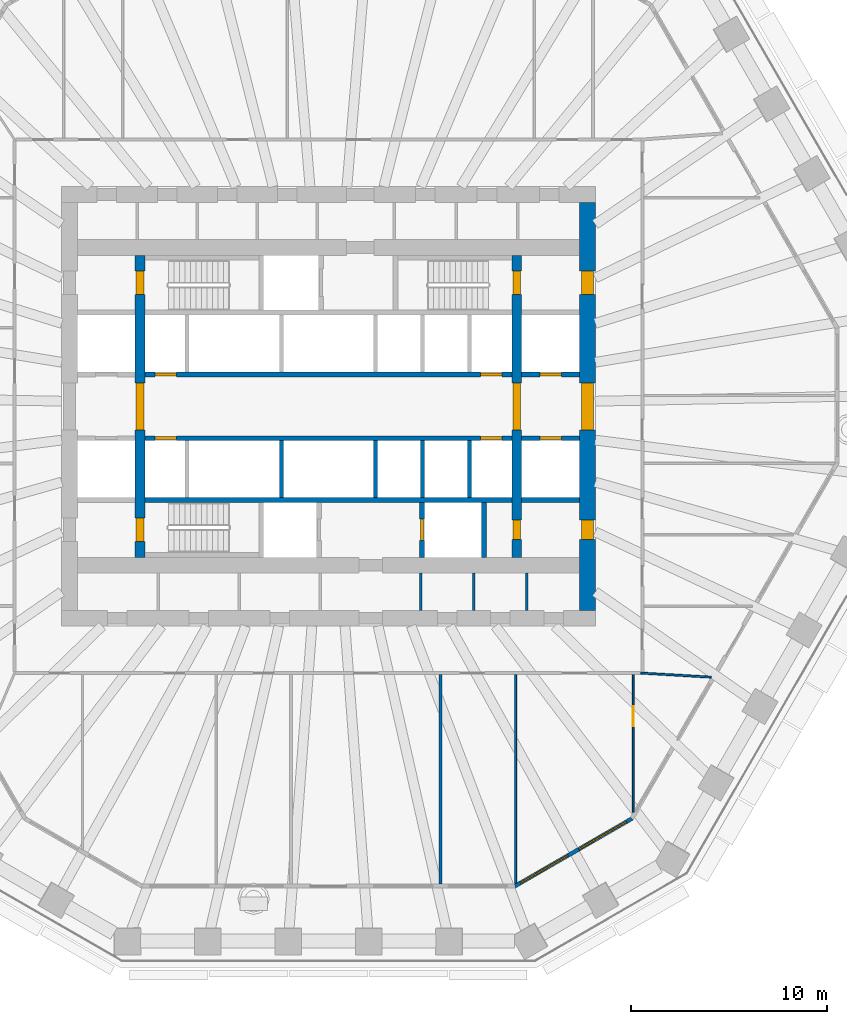
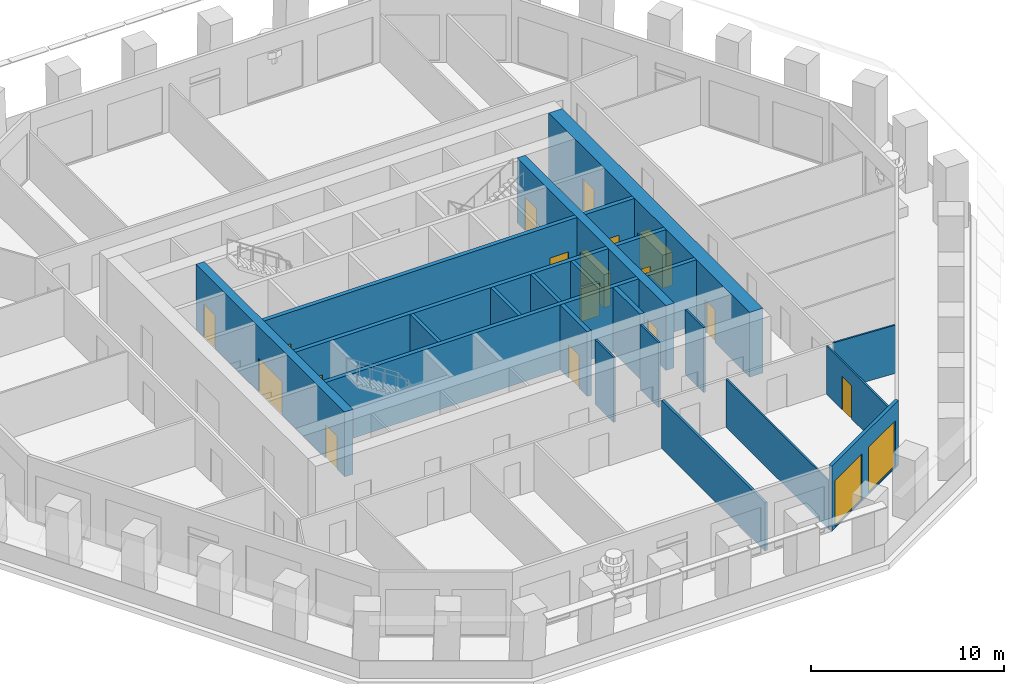
# One storey, part 5 of 13: 23 walls, 17 doors, 2 windows, 19 openings.
"""IFC4 building model written with IfcOpenShell, lengths in metres."""

from ifc_helpers import new_model, si_unit, direction, frame, frame_2d, origin, place, context, subcontext, project, spatial, polyline, rectangle, outline, extrude, material, layer, layer_set, type_object, element, fill, save


model = new_model("IFC4")

# Units and contexts
model_context = context("Model", 3, precision=1e-05, world=origin(), true_north=direction((0.0, 1.0)))
body_context = subcontext(model_context, "Body", "Model", "MODEL_VIEW")
ifc_project = project(units=[si_unit("LENGTHUNIT", "METRE"), si_unit("AREAUNIT", "SQUARE_METRE"), si_unit("VOLUMEUNIT", "CUBIC_METRE"), si_unit("PLANEANGLEUNIT", "RADIAN"), si_unit("MASSUNIT", "GRAM", prefix="KILO")], contexts=[model_context])

# Site, building, storey
site_placement = place(None, origin())
site = spatial("IfcSite", under=ifc_project, at=site_placement, CompositionType="ELEMENT")
building_placement = place(site_placement, origin())
building = spatial("IfcBuilding", under=site, at=building_placement, Name="Frailejon Research Tower", CompositionType="ELEMENT")
storey_placement = place(building_placement, frame((0.0, 0.0, 98.39990234375)))
storey = spatial("IfcBuildingStorey", under=building, at=storey_placement, Name="L21", CompositionType="ELEMENT", Elevation=98.39990234375)

# Walls
ifc_material_1 = material(Name="Plasterboard on steel studs", Category="steel")
ifc_layer_1 = layer(ifc_material_1, 0.125)
ifc_layer_set_1 = layer_set([ifc_layer_1], Name="Core partition 125")
wall_type_1 = type_object("IfcWallType", Name="Core partition 125", PredefinedType="PARTITIONING", material=ifc_layer_set_1)
for number, where, z_axis, x_axis, name in (
    (1, (4.71240234375, -10.39990234375, 0.0), (0.0, 0.0, 1.0), (0.0, 1.0, 0.0), "Core partition"),
    (2, (7.408203125, -10.39990234375, 0.0), (0.0, 0.0, 1.0), (0.0, 1.0, 0.0), "Core partition"),
    (3, (10.104248046875, -10.39990234375, 0.0), (0.0, 0.0, 1.0), (0.0, 1.0, 0.0), "Core partition"),
):
    element("IfcWall", number, at=place(storey_placement, frame(where, z_axis=z_axis, x_axis=x_axis)), inside=storey, type_object=wall_type_1, Name=name, PredefinedType="PARTITIONING", context=body_context, shape_type="SweptSolid", body=[
        extrude(rectangle(XDim=1.89990234375, YDim=0.125, at=frame_2d((0.949951171875, 0.0))), origin(), (0.0, 0.0, 1.0), 4.10009765625),
    ])

# Wall, openings, doors
ifc_material_2 = material(Name="Concrete C70/85", Category="concrete")
ifc_layer_2 = layer(ifc_material_2, 0.5)
ifc_layer_set_2 = layer_set([ifc_layer_2], Name="Core shear wall 500 C70/85")
wall_type_2 = type_object("IfcWallType", Name="Core shear wall 500 C70/85", PredefinedType="SHEAR", material=ifc_layer_set_2)
wall_1_placement = place(storey_placement, frame((-9.60009765625, -7.699951171875, 0.0), z_axis=(0.0, 0.0, 1.0), x_axis=(0.0, 1.0, 0.0)))
wall_1 = element("IfcWall", 4, at=wall_1_placement, inside=storey, type_object=wall_type_2, Name="Core shear wall", PredefinedType="SHEAR", context=body_context, shape_type="SweptSolid", body=[
    extrude(rectangle(XDim=15.39990234375, YDim=0.5, at=frame_2d((7.699951171875, 0.0))), origin(), (0.0, 0.0, 1.0), 4.10009765625),
])
opening_1_placement = place(wall_1_placement, frame((6.5, 0.0, 0.0)))
opening_1 = element("IfcOpeningElement", 5, at=opening_1_placement, cuts=wall_1, Name="Opening D2", PredefinedType="OPENING", context=body_context, shape_type="SweptSolid", body=[
    extrude(rectangle(XDim=2.39990234375, YDim=2.10009765625, at=frame_2d((1.199951171875, 1.050048828125))), frame((0.0, 0.260009765625, 0.0), z_axis=(0.0, -1.0, 0.0), x_axis=(1.0, 0.0, 0.0)), (0.0, 0.0, 1.0), 0.52001953125),
])
opening_2_placement = place(wall_1_placement, frame((13.39990234375, 0.0, 0.0)))
opening_2 = element("IfcOpeningElement", 6, at=opening_2_placement, cuts=wall_1, Name="Opening D1", PredefinedType="OPENING", context=body_context, shape_type="SweptSolid", body=[
    extrude(rectangle(XDim=1.199951171875, YDim=2.10009765625, at=frame_2d((0.60009765625, 1.050048828125))), frame((0.0, 0.260009765625, 0.0), z_axis=(0.0, -1.0, 0.0), x_axis=(1.0, 0.0, 0.0)), (0.0, 0.0, 1.0), 0.52001953125),
])
opening_3_placement = place(wall_1_placement, frame((0.800048828125, 0.0, 0.0)))
opening_3 = element("IfcOpeningElement", 7, at=opening_3_placement, cuts=wall_1, Name="Opening D1", PredefinedType="OPENING", context=body_context, shape_type="SweptSolid", body=[
    extrude(rectangle(XDim=1.199951171875, YDim=2.10009765625, at=frame_2d((0.60009765625, 1.050048828125))), frame((0.0, 0.260009765625, 0.0), z_axis=(0.0, -1.0, 0.0), x_axis=(1.0, 0.0, 0.0)), (0.0, 0.0, 1.0), 0.52001953125),
])
ifc_material_3 = material(Name="Steel", Category="steel")
door_type_1 = type_object("IfcDoorType", Name="Lobby double door", OperationType="DOUBLE_DOOR_SINGLE_SWING", PredefinedType="DOOR", material=ifc_material_3)
door_1_placement = place(opening_1_placement, origin())
door_1 = element("IfcDoor", 8, at=door_1_placement, inside=storey, type_object=door_type_1, Name="Lobby door", OperationType="DOUBLE_DOOR_SINGLE_SWING", OverallHeight=2.10009765625, OverallWidth=2.39990234375, PredefinedType="DOOR", context=body_context, shape_type="SweptSolid", body=[
    extrude(rectangle(XDim=2.39990234375, YDim=2.10009765625, at=frame_2d((1.199951171875, 1.050048828125))), frame((0.0, 0.199951171875, 0.0), z_axis=(0.0, -1.0, 0.0), x_axis=(1.0, 0.0, 0.0)), (0.0, 0.0, 1.0), 0.39990234375),
])
fill(opening_1, door_1)
ifc_material_4 = material(Name="Steel", Category="steel")
door_type_2 = type_object("IfcDoorType", Name="Stair door", OperationType="SINGLE_SWING_LEFT", PredefinedType="DOOR", material=ifc_material_4)
door_2_placement = place(opening_2_placement, origin())
door_2 = element("IfcDoor", 9, at=door_2_placement, inside=storey, type_object=door_type_2, Name="Stair door ST1", OperationType="SINGLE_SWING_RIGHT", OverallHeight=2.10009765625, OverallWidth=1.199951171875, PredefinedType="DOOR", context=body_context, shape_type="SweptSolid", body=[
    extrude(rectangle(XDim=1.199951171875, YDim=2.10009765625, at=frame_2d((0.60009765625, 1.050048828125))), frame((0.0, 0.199951171875, 0.0), z_axis=(0.0, -1.0, 0.0), x_axis=(1.0, 0.0, 0.0)), (0.0, 0.0, 1.0), 0.39990234375),
])
fill(opening_2, door_2)
door_3_placement = place(opening_3_placement, origin())
door_3 = element("IfcDoor", 10, at=door_3_placement, inside=storey, type_object=door_type_2, Name="Stair door ST2", OperationType="SINGLE_SWING_RIGHT", OverallHeight=2.10009765625, OverallWidth=1.199951171875, PredefinedType="DOOR", context=body_context, shape_type="SweptSolid", body=[
    extrude(rectangle(XDim=1.199951171875, YDim=2.10009765625, at=frame_2d((0.60009765625, 1.050048828125))), frame((0.0, 0.199951171875, 0.0), z_axis=(0.0, -1.0, 0.0), x_axis=(1.0, 0.0, 0.0)), (0.0, 0.0, 1.0), 0.39990234375),
])
fill(opening_3, door_3)

wall_2_placement = place(storey_placement, frame((9.60009765625, -7.699951171875, 0.0), z_axis=(0.0, 0.0, 1.0), x_axis=(0.0, 1.0, 0.0)))
wall_2 = element("IfcWall", 11, at=wall_2_placement, inside=storey, type_object=wall_type_2, Name="Core shear wall", PredefinedType="SHEAR", context=body_context, shape_type="SweptSolid", body=[
    extrude(rectangle(XDim=15.39990234375, YDim=0.5, at=frame_2d((7.699951171875, 0.0))), origin(), (0.0, 0.0, 1.0), 4.10009765625),
])
opening_4_placement = place(wall_2_placement, frame((6.5, 0.0, 0.0)))
opening_4 = element("IfcOpeningElement", 12, at=opening_4_placement, cuts=wall_2, Name="Opening D2", PredefinedType="OPENING", context=body_context, shape_type="SweptSolid", body=[
    extrude(rectangle(XDim=2.39990234375, YDim=2.10009765625, at=frame_2d((1.199951171875, 1.050048828125))), frame((0.0, 0.260009765625, 0.0), z_axis=(0.0, -1.0, 0.0), x_axis=(1.0, 0.0, 0.0)), (0.0, 0.0, 1.0), 0.52001953125),
])
opening_5_placement = place(wall_2_placement, frame((13.39990234375, 0.0, 0.0)))
opening_5 = element("IfcOpeningElement", 13, at=opening_5_placement, cuts=wall_2, Name="Opening D1", PredefinedType="OPENING", context=body_context, shape_type="SweptSolid", body=[
    extrude(rectangle(XDim=1.199951171875, YDim=2.10009765625, at=frame_2d((0.60009765625, 1.050048828125))), frame((0.0, 0.260009765625, 0.0), z_axis=(0.0, -1.0, 0.0), x_axis=(1.0, 0.0, 0.0)), (0.0, 0.0, 1.0), 0.52001953125),
])
opening_6_placement = place(wall_2_placement, frame((0.89990234375, 0.0, 0.0)))
opening_6 = element("IfcOpeningElement", 14, at=opening_6_placement, cuts=wall_2, Name="Opening D4", PredefinedType="OPENING", context=body_context, shape_type="SweptSolid", body=[
    extrude(rectangle(XDim=1.0, YDim=2.10009765625, at=frame_2d((0.5, 1.050048828125))), frame((0.0, 0.260009765625, 0.0), z_axis=(0.0, -1.0, 0.0), x_axis=(1.0, 0.0, 0.0)), (0.0, 0.0, 1.0), 0.52001953125),
])
door_4_placement = place(opening_4_placement, origin())
door_4 = element("IfcDoor", 15, at=door_4_placement, inside=storey, type_object=door_type_1, Name="Lobby door", OperationType="DOUBLE_DOOR_SINGLE_SWING", OverallHeight=2.10009765625, OverallWidth=2.39990234375, PredefinedType="DOOR", context=body_context, shape_type="SweptSolid", body=[
    extrude(rectangle(XDim=2.39990234375, YDim=2.10009765625, at=frame_2d((1.199951171875, 1.050048828125))), frame((0.0, 0.199951171875, 0.0), z_axis=(0.0, -1.0, 0.0), x_axis=(1.0, 0.0, 0.0)), (0.0, 0.0, 1.0), 0.39990234375),
])
fill(opening_4, door_4)
ifc_material_5 = material(Name="Steel", Category="steel")
door_type_3 = type_object("IfcDoorType", Name="Service door", OperationType="SINGLE_SWING_LEFT", PredefinedType="DOOR", material=ifc_material_5)
door_5_placement = place(opening_6_placement, origin())
door_5 = element("IfcDoor", 16, at=door_5_placement, inside=storey, type_object=door_type_3, Name="Riser door", OperationType="SINGLE_SWING_RIGHT", OverallHeight=2.10009765625, OverallWidth=1.0, PredefinedType="DOOR", context=body_context, shape_type="SweptSolid", body=[
    extrude(rectangle(XDim=1.0, YDim=2.10009765625, at=frame_2d((0.5, 1.050048828125))), frame((0.0, 0.199951171875, 0.0), z_axis=(0.0, -1.0, 0.0), x_axis=(1.0, 0.0, 0.0)), (0.0, 0.0, 1.0), 0.39990234375),
])
fill(opening_6, door_5)
door_6_placement = place(opening_5_placement, origin())
door_6 = element("IfcDoor", 17, at=door_6_placement, inside=storey, type_object=door_type_2, Name="Stair door ST3", OperationType="SINGLE_SWING_RIGHT", OverallHeight=2.10009765625, OverallWidth=1.199951171875, PredefinedType="DOOR", context=body_context, shape_type="SweptSolid", body=[
    extrude(rectangle(XDim=1.199951171875, YDim=2.10009765625, at=frame_2d((0.60009765625, 1.050048828125))), frame((0.0, 0.199951171875, 0.0), z_axis=(0.0, -1.0, 0.0), x_axis=(1.0, 0.0, 0.0)), (0.0, 0.0, 1.0), 0.39990234375),
])
fill(opening_5, door_6)

ifc_material_6 = material(Name="Concrete C70/85", Category="concrete")
ifc_layer_3 = layer(ifc_material_6, 0.800048828125)
ifc_layer_set_3 = layer_set([ifc_layer_3], Name="Core shear wall 800 C70/85")
wall_type_3 = type_object("IfcWallType", Name="Core shear wall 800 C70/85", PredefinedType="SHEAR", material=ifc_layer_set_3)
wall_3_placement = place(storey_placement, frame((13.199951171875, -10.39990234375, 0.0), z_axis=(0.0, 0.0, 1.0), x_axis=(0.0, 1.0, 0.0)))
wall_3 = element("IfcWall", 18, at=wall_3_placement, inside=storey, type_object=wall_type_3, Name="Core shear wall", PredefinedType="SHEAR", context=body_context, shape_type="SweptSolid", body=[
    extrude(rectangle(XDim=20.7998046875, YDim=0.800048828125, at=frame_2d((10.39990234375, 0.0))), origin(), (0.0, 0.0, 1.0), 4.10009765625),
])
opening_7_placement = place(wall_3_placement, frame((9.199951171875, 0.0, 0.0)))
opening_7 = element("IfcOpeningElement", 19, at=opening_7_placement, cuts=wall_3, Name="Opening D2", PredefinedType="OPENING", context=body_context, shape_type="SweptSolid", body=[
    extrude(rectangle(XDim=2.39990234375, YDim=2.10009765625, at=frame_2d((1.199951171875, 1.050048828125))), frame((0.0, 0.409912109375, 0.0), z_axis=(0.0, -1.0, 0.0), x_axis=(1.0, 0.0, 0.0)), (0.0, 0.0, 1.0), 0.820068359375),
])
opening_8_placement = place(wall_3_placement, frame((16.10009765625, 0.0, 0.0)))
opening_8 = element("IfcOpeningElement", 20, at=opening_8_placement, cuts=wall_3, Name="Opening D7", PredefinedType="OPENING", context=body_context, shape_type="SweptSolid", body=[
    extrude(rectangle(XDim=1.199951171875, YDim=2.10009765625, at=frame_2d((0.60009765625, 1.050048828125))), frame((0.0, 0.409912109375, 0.0), z_axis=(0.0, -1.0, 0.0), x_axis=(1.0, 0.0, 0.0)), (0.0, 0.0, 1.0), 0.820068359375),
])
opening_9_placement = place(wall_3_placement, frame((3.60009765625, 0.0, 0.0)))
opening_9 = element("IfcOpeningElement", 21, at=opening_9_placement, cuts=wall_3, Name="Opening D4", PredefinedType="OPENING", context=body_context, shape_type="SweptSolid", body=[
    extrude(rectangle(XDim=1.0, YDim=2.10009765625, at=frame_2d((0.5, 1.050048828125))), frame((0.0, 0.409912109375, 0.0), z_axis=(0.0, -1.0, 0.0), x_axis=(1.0, 0.0, 0.0)), (0.0, 0.0, 1.0), 0.820068359375),
])
door_7_placement = place(opening_7_placement, origin())
door_7 = element("IfcDoor", 22, at=door_7_placement, inside=storey, type_object=door_type_1, Name="Lobby door", OperationType="DOUBLE_DOOR_SINGLE_SWING", OverallHeight=2.10009765625, OverallWidth=2.39990234375, PredefinedType="DOOR", context=body_context, shape_type="SweptSolid", body=[
    extrude(rectangle(XDim=2.39990234375, YDim=2.10009765625, at=frame_2d((1.199951171875, 1.050048828125))), frame((0.0, 0.300048828125, 0.0), z_axis=(0.0, -1.0, 0.0), x_axis=(1.0, 0.0, 0.0)), (0.0, 0.0, 1.0), 0.60009765625),
])
fill(opening_7, door_7)
door_8_placement = place(opening_9_placement, origin())
door_8 = element("IfcDoor", 23, at=door_8_placement, inside=storey, type_object=door_type_3, Name="Store door", OperationType="SINGLE_SWING_LEFT", OverallHeight=2.10009765625, OverallWidth=1.0, PredefinedType="DOOR", context=body_context, shape_type="SweptSolid", body=[
    extrude(rectangle(XDim=1.0, YDim=2.10009765625, at=frame_2d((0.5, 1.050048828125))), frame((0.0, 0.300048828125, 0.0), z_axis=(0.0, -1.0, 0.0), x_axis=(1.0, 0.0, 0.0)), (0.0, 0.0, 1.0), 0.60009765625),
])
fill(opening_9, door_8)
ifc_material_7 = material(Name="Steel", Category="steel")
door_type_4 = type_object("IfcDoorType", Name="Stair exit door", OperationType="SINGLE_SWING_LEFT", PredefinedType="DOOR", material=ifc_material_7)
door_9_placement = place(opening_8_placement, origin())
door_9 = element("IfcDoor", 24, at=door_9_placement, inside=storey, type_object=door_type_4, Name="Stair exit door ST3", OperationType="SINGLE_SWING_LEFT", OverallHeight=2.10009765625, OverallWidth=1.199951171875, PredefinedType="DOOR", context=body_context, shape_type="SweptSolid", body=[
    extrude(rectangle(XDim=1.199951171875, YDim=2.10009765625, at=frame_2d((0.60009765625, 1.050048828125))), frame((0.0, 0.300048828125, 0.0), z_axis=(0.0, -1.0, 0.0), x_axis=(1.0, 0.0, 0.0)), (0.0, 0.0, 1.0), 0.60009765625),
])
fill(opening_8, door_9)

# Walls
ifc_material_8 = material(Name="Gypsum board and masonry partition", Category="masonry")
ifc_layer_4 = layer(ifc_material_8, 0.14990234375)
ifc_layer_set_4 = layer_set([ifc_layer_4], Name="Laboratory partition, blockwork 150")
wall_type_4 = type_object("IfcWallType", Name="Laboratory partition, blockwork 150", PredefinedType="PARTITIONING", material=ifc_layer_set_4)
wall_4_placement = place(storey_placement, frame((5.72216796875, -24.35302734375, 0.0), z_axis=(0.0, 0.0, 1.0), x_axis=(0.0, 1.0, 0.0)))
element("IfcWall", 25, at=wall_4_placement, inside=storey, type_object=wall_type_4, Name="T:IW:L21:010", PredefinedType="PARTITIONING", context=body_context, shape_type="SweptSolid", body=[
    extrude(rectangle(XDim=10.677978515625, YDim=0.14990234375, at=frame_2d((5.3388671875, 0.0))), origin(), (0.0, 0.0, 1.0), 3.050048828125),
])
ifc_material_9 = material(Name="Gypsum board and masonry partition", Category="masonry")
ifc_layer_5 = layer(ifc_material_9, 0.10009765625)
ifc_layer_set_5 = layer_set([ifc_layer_5], Name="Partition, gypsum on steel studs 100")
wall_type_5 = type_object("IfcWallType", Name="Partition, gypsum on steel studs 100", PredefinedType="PARTITIONING", material=ifc_layer_set_5)
wall_5_placement = place(storey_placement, frame((9.537109375, -24.322265625, 0.0), z_axis=(0.0, 0.0, 1.0), x_axis=(0.0, 1.0, 0.0)))
element("IfcWall", 26, at=wall_5_placement, inside=storey, type_object=wall_type_5, Name="T:IW:L21:023", PredefinedType="PARTITIONING", context=body_context, shape_type="SweptSolid", body=[
    extrude(rectangle(XDim=10.647216796875, YDim=0.10009765625, at=frame_2d((5.32373046875, 0.0))), origin(), (0.0, 0.0, 1.0), 3.050048828125),
])

# Wall, opening, door
wall_6_placement = place(storey_placement, frame((15.537109375, -20.68896484375, 0.0), z_axis=(0.0, 0.0, 1.0), x_axis=(0.0, 1.0, 0.0)))
wall_6 = element("IfcWall", 27, at=wall_6_placement, inside=storey, type_object=wall_type_5, Name="T:IW:L21:024", PredefinedType="PARTITIONING", context=body_context, shape_type="SweptSolid", body=[
    extrude(rectangle(XDim=7.013916015625, YDim=0.10009765625, at=frame_2d((3.5068359375, 0.0))), origin(), (0.0, 0.0, 1.0), 3.050048828125),
])
opening_10_placement = place(wall_6_placement, frame((4.391845703125, 0.0, 0.0)))
opening_10 = element("IfcOpeningElement", 28, at=opening_10_placement, cuts=wall_6, Name="Opening D1570", PredefinedType="OPENING", context=body_context, shape_type="SweptSolid", body=[
    extrude(rectangle(XDim=1.0, YDim=2.10009765625, at=frame_2d((0.5, 1.050048828125))), frame((0.0, 0.06005859375, 0.0), z_axis=(0.0, -1.0, 0.0), x_axis=(1.0, 0.0, 0.0)), (0.0, 0.0, 1.0), 0.1201171875),
])
ifc_material_10 = material(Name="Timber door leaf", Category="wood")
door_type_5 = type_object("IfcDoorType", Name="Door single leaf, timber, steel frame 1000", OperationType="NOTDEFINED", PredefinedType="DOOR", material=ifc_material_10)
door_10_placement = place(opening_10_placement, origin())
door_10 = element("IfcDoor", 29, at=door_10_placement, inside=storey, type_object=door_type_5, Name="D1570", OperationType="SINGLE_SWING_RIGHT", OverallHeight=2.10009765625, OverallWidth=1.0, PredefinedType="DOOR", context=body_context, shape_type="SweptSolid", body=[
    extrude(rectangle(XDim=1.0, YDim=2.10009765625, at=frame_2d((0.5, 1.050048828125))), frame((0.0, 0.02490234375, 0.0), z_axis=(0.0, -1.0, 0.0), x_axis=(1.0, 0.0, 0.0)), (0.0, 0.0, 1.0), 0.050048828125),
])
fill(opening_10, door_10)

# Walls
wall_7_placement = place(storey_placement, frame((15.925048828125, -13.595703125, 0.0), z_axis=(0.0, 0.0, 1.0), x_axis=(0.998306790494, -0.058168307989, 0.0)))
element("IfcWall", 30, at=wall_7_placement, inside=storey, type_object=wall_type_5, Name="T:IW:L21:025", PredefinedType="PARTITIONING", context=body_context, shape_type="SweptSolid", body=[
    extrude(rectangle(XDim=3.5927734375, YDim=0.10009765625, at=frame_2d((1.79638671875, 0.0))), origin(), (0.0, 0.0, 1.0), 3.050048828125),
])
ifc_material_11 = material(Name="Concrete C70/85", Category="concrete")
ifc_layer_6 = layer(ifc_material_11, 0.199951171875)
ifc_layer_set_6 = layer_set([ifc_layer_6], Name="Shaft wall 200 C70/85")
wall_type_6 = type_object("IfcWallType", Name="Shaft wall 200 C70/85", PredefinedType="SOLIDWALL", material=ifc_layer_set_6)
for number, where, z_axis, x_axis, name in (
    (31, (-2.39990234375, -4.64990234375, 0.0), (0.0, 0.0, 1.0), (0.0, 1.0, 0.0), "Shaft wall"),
    (32, (2.39990234375, -4.64990234375, 0.0), (0.0, 0.0, 1.0), (0.0, 1.0, 0.0), "Shaft wall"),
    (33, (4.800048828125, -4.64990234375, 0.0), (0.0, 0.0, 1.0), (0.0, 1.0, 0.0), "Shaft wall"),
    (34, (7.199951171875, -4.64990234375, 0.0), (0.0, 0.0, 1.0), (0.0, 1.0, 0.0), "Shaft wall"),
):
    element("IfcWall", number, at=place(storey_placement, frame(where, z_axis=z_axis, x_axis=x_axis)), inside=storey, type_object=wall_type_6, Name=name, PredefinedType="SOLIDWALL", context=body_context, shape_type="SweptSolid", body=[
        extrude(rectangle(XDim=2.89990234375, YDim=0.199951171875, at=frame_2d((1.449951171875, 0.0))), origin(), (0.0, 0.0, 1.0), 4.10009765625),
    ])

# Wall, openings, doors
ifc_material_12 = material(Name="Concrete C70/85", Category="concrete")
ifc_layer_7 = layer(ifc_material_12, 0.25)
ifc_layer_set_7 = layer_set([ifc_layer_7], Name="Shaft wall 250 C70/85")
wall_type_7 = type_object("IfcWallType", Name="Shaft wall 250 C70/85", PredefinedType="SOLIDWALL", material=ifc_layer_set_7)
wall_8_placement = place(storey_placement, frame((-9.35009765625, 1.625, 0.0), z_axis=(0.0, 0.0, 1.0), x_axis=(1.0, 0.0, 0.0)))
wall_8 = element("IfcWall", 35, at=wall_8_placement, inside=storey, type_object=wall_type_7, Name="Shaft wall", PredefinedType="SOLIDWALL", context=body_context, shape_type="SweptSolid", body=[
    extrude(rectangle(XDim=18.7001953125, YDim=0.25, at=frame_2d((9.35009765625, 0.0))), origin(), (0.0, 0.0, 1.0), 4.10009765625),
])
opening_11_placement = place(wall_8_placement, frame((0.5, 0.0, 0.0)))
opening_11 = element("IfcOpeningElement", 36, at=opening_11_placement, cuts=wall_8, Name="Opening LD", PredefinedType="OPENING", context=body_context, shape_type="SweptSolid", body=[
    extrude(rectangle(XDim=1.10009765625, YDim=2.10009765625, at=frame_2d((0.550048828125, 1.050048828125))), frame((0.0, 0.135009765625, 0.0), z_axis=(0.0, -1.0, 0.0), x_axis=(1.0, 0.0, 0.0)), (0.0, 0.0, 1.0), 0.27001953125),
])
opening_12_placement = place(wall_8_placement, frame((17.10009765625, 0.0, 0.0)))
opening_12 = element("IfcOpeningElement", 37, at=opening_12_placement, cuts=wall_8, Name="Opening LD", PredefinedType="OPENING", context=body_context, shape_type="SweptSolid", body=[
    extrude(rectangle(XDim=1.10009765625, YDim=2.10009765625, at=frame_2d((0.550048828125, 1.050048828125))), frame((0.0, 0.135009765625, 0.0), z_axis=(0.0, -1.0, 0.0), x_axis=(1.0, 0.0, 0.0)), (0.0, 0.0, 1.0), 0.27001953125),
])
ifc_material_13 = material(Name="Steel", Category="steel")
door_type_6 = type_object("IfcDoorType", Name="Lift landing door", OperationType="DOUBLE_DOOR_SLIDING", PredefinedType="DOOR", material=ifc_material_13)
door_11_placement = place(opening_11_placement, origin())
door_11 = element("IfcDoor", 38, at=door_11_placement, inside=storey, type_object=door_type_6, Name="Lift landing door", OperationType="DOUBLE_DOOR_SLIDING", OverallHeight=2.10009765625, OverallWidth=1.10009765625, PredefinedType="DOOR", context=body_context, shape_type="SweptSolid", body=[
    extrude(rectangle(XDim=1.10009765625, YDim=2.10009765625, at=frame_2d((0.550048828125, 1.050048828125))), frame((0.0, 0.074951171875, 0.0), z_axis=(0.0, -1.0, 0.0), x_axis=(1.0, 0.0, 0.0)), (0.0, 0.0, 1.0), 0.14990234375),
])
fill(opening_11, door_11)
door_12_placement = place(opening_12_placement, origin())
door_12 = element("IfcDoor", 39, at=door_12_placement, inside=storey, type_object=door_type_6, Name="Lift landing door", OperationType="DOUBLE_DOOR_SLIDING", OverallHeight=2.10009765625, OverallWidth=1.10009765625, PredefinedType="DOOR", context=body_context, shape_type="SweptSolid", body=[
    extrude(rectangle(XDim=1.10009765625, YDim=2.10009765625, at=frame_2d((0.550048828125, 1.050048828125))), frame((0.0, 0.074951171875, 0.0), z_axis=(0.0, -1.0, 0.0), x_axis=(1.0, 0.0, 0.0)), (0.0, 0.0, 1.0), 0.14990234375),
])
fill(opening_12, door_12)

# Wall, opening, door
wall_9_placement = place(storey_placement, frame((9.85009765625, 1.625, 0.0), z_axis=(0.0, 0.0, 1.0), x_axis=(1.0, 0.0, 0.0)))
wall_9 = element("IfcWall", 40, at=wall_9_placement, inside=storey, type_object=wall_type_7, Name="Shaft wall", PredefinedType="SOLIDWALL", context=body_context, shape_type="SweptSolid", body=[
    extrude(rectangle(XDim=2.949951171875, YDim=0.25, at=frame_2d((1.47509765625, 0.0))), origin(), (0.0, 0.0, 1.0), 4.10009765625),
])
opening_13_placement = place(wall_9_placement, frame((0.925048828125, 0.0, 0.0)))
opening_13 = element("IfcOpeningElement", 41, at=opening_13_placement, cuts=wall_9, Name="Opening LD", PredefinedType="OPENING", context=body_context, shape_type="SweptSolid", body=[
    extrude(rectangle(XDim=1.10009765625, YDim=2.10009765625, at=frame_2d((0.550048828125, 1.050048828125))), frame((0.0, 0.135009765625, 0.0), z_axis=(0.0, -1.0, 0.0), x_axis=(1.0, 0.0, 0.0)), (0.0, 0.0, 1.0), 0.27001953125),
])
door_13_placement = place(opening_13_placement, origin())
door_13 = element("IfcDoor", 42, at=door_13_placement, inside=storey, type_object=door_type_6, Name="Lift landing door", OperationType="DOUBLE_DOOR_SLIDING", OverallHeight=2.10009765625, OverallWidth=1.10009765625, PredefinedType="DOOR", context=body_context, shape_type="SweptSolid", body=[
    extrude(rectangle(XDim=1.10009765625, YDim=2.10009765625, at=frame_2d((0.550048828125, 1.050048828125))), frame((0.0, 0.074951171875, 0.0), z_axis=(0.0, -1.0, 0.0), x_axis=(1.0, 0.0, 0.0)), (0.0, 0.0, 1.0), 0.14990234375),
])
fill(opening_13, door_13)

# Wall, openings, doors
wall_10_placement = place(storey_placement, frame((-9.35009765625, -1.625, 0.0), z_axis=(0.0, 0.0, 1.0), x_axis=(1.0, 0.0, 0.0)))
wall_10 = element("IfcWall", 43, at=wall_10_placement, inside=storey, type_object=wall_type_7, Name="Shaft wall", PredefinedType="SOLIDWALL", context=body_context, shape_type="SweptSolid", body=[
    extrude(rectangle(XDim=18.7001953125, YDim=0.25, at=frame_2d((9.35009765625, 0.0))), origin(), (0.0, 0.0, 1.0), 4.10009765625),
])
opening_14_placement = place(wall_10_placement, frame((0.5, 0.0, 0.0)))
opening_14 = element("IfcOpeningElement", 44, at=opening_14_placement, cuts=wall_10, Name="Opening LD", PredefinedType="OPENING", context=body_context, shape_type="SweptSolid", body=[
    extrude(rectangle(XDim=1.10009765625, YDim=2.10009765625, at=frame_2d((0.550048828125, 1.050048828125))), frame((0.0, 0.135009765625, 0.0), z_axis=(0.0, -1.0, 0.0), x_axis=(1.0, 0.0, 0.0)), (0.0, 0.0, 1.0), 0.27001953125),
])
opening_15_placement = place(wall_10_placement, frame((17.10009765625, 0.0, 0.0)))
opening_15 = element("IfcOpeningElement", 45, at=opening_15_placement, cuts=wall_10, Name="Opening LD", PredefinedType="OPENING", context=body_context, shape_type="SweptSolid", body=[
    extrude(rectangle(XDim=1.10009765625, YDim=2.10009765625, at=frame_2d((0.550048828125, 1.050048828125))), frame((0.0, 0.135009765625, 0.0), z_axis=(0.0, -1.0, 0.0), x_axis=(1.0, 0.0, 0.0)), (0.0, 0.0, 1.0), 0.27001953125),
])
door_14_placement = place(opening_14_placement, origin())
door_14 = element("IfcDoor", 46, at=door_14_placement, inside=storey, type_object=door_type_6, Name="Lift landing door", OperationType="DOUBLE_DOOR_SLIDING", OverallHeight=2.10009765625, OverallWidth=1.10009765625, PredefinedType="DOOR", context=body_context, shape_type="SweptSolid", body=[
    extrude(rectangle(XDim=1.10009765625, YDim=2.10009765625, at=frame_2d((0.550048828125, 1.050048828125))), frame((0.0, 0.074951171875, 0.0), z_axis=(0.0, -1.0, 0.0), x_axis=(1.0, 0.0, 0.0)), (0.0, 0.0, 1.0), 0.14990234375),
])
fill(opening_14, door_14)
door_15_placement = place(opening_15_placement, origin())
door_15 = element("IfcDoor", 47, at=door_15_placement, inside=storey, type_object=door_type_6, Name="Lift landing door", OperationType="DOUBLE_DOOR_SLIDING", OverallHeight=2.10009765625, OverallWidth=1.10009765625, PredefinedType="DOOR", context=body_context, shape_type="SweptSolid", body=[
    extrude(rectangle(XDim=1.10009765625, YDim=2.10009765625, at=frame_2d((0.550048828125, 1.050048828125))), frame((0.0, 0.074951171875, 0.0), z_axis=(0.0, -1.0, 0.0), x_axis=(1.0, 0.0, 0.0)), (0.0, 0.0, 1.0), 0.14990234375),
])
fill(opening_15, door_15)

# Wall, opening, door
wall_11_placement = place(storey_placement, frame((9.85009765625, -1.625, 0.0), z_axis=(0.0, 0.0, 1.0), x_axis=(1.0, 0.0, 0.0)))
wall_11 = element("IfcWall", 48, at=wall_11_placement, inside=storey, type_object=wall_type_7, Name="Shaft wall", PredefinedType="SOLIDWALL", context=body_context, shape_type="SweptSolid", body=[
    extrude(rectangle(XDim=2.949951171875, YDim=0.25, at=frame_2d((1.47509765625, 0.0))), origin(), (0.0, 0.0, 1.0), 4.10009765625),
])
opening_16_placement = place(wall_11_placement, frame((0.925048828125, 0.0, 0.0)))
opening_16 = element("IfcOpeningElement", 49, at=opening_16_placement, cuts=wall_11, Name="Opening LD", PredefinedType="OPENING", context=body_context, shape_type="SweptSolid", body=[
    extrude(rectangle(XDim=1.10009765625, YDim=2.10009765625, at=frame_2d((0.550048828125, 1.050048828125))), frame((0.0, 0.135009765625, 0.0), z_axis=(0.0, -1.0, 0.0), x_axis=(1.0, 0.0, 0.0)), (0.0, 0.0, 1.0), 0.27001953125),
])
door_16_placement = place(opening_16_placement, origin())
door_16 = element("IfcDoor", 50, at=door_16_placement, inside=storey, type_object=door_type_6, Name="Lift landing door", OperationType="DOUBLE_DOOR_SLIDING", OverallHeight=2.10009765625, OverallWidth=1.10009765625, PredefinedType="DOOR", context=body_context, shape_type="SweptSolid", body=[
    extrude(rectangle(XDim=1.10009765625, YDim=2.10009765625, at=frame_2d((0.550048828125, 1.050048828125))), frame((0.0, 0.074951171875, 0.0), z_axis=(0.0, -1.0, 0.0), x_axis=(1.0, 0.0, 0.0)), (0.0, 0.0, 1.0), 0.14990234375),
])
fill(opening_16, door_16)

# Walls
wall_12_placement = place(storey_placement, frame((-9.35009765625, -4.77490234375, 0.0), z_axis=(0.0, 0.0, 1.0), x_axis=(1.0, 0.0, 0.0)))
element("IfcWall", 51, at=wall_12_placement, inside=storey, type_object=wall_type_7, Name="Shaft wall", PredefinedType="SOLIDWALL", context=body_context, shape_type="SweptSolid", body=[
    extrude(rectangle(XDim=18.7001953125, YDim=0.25, at=frame_2d((9.35009765625, 0.0))), origin(), (0.0, 0.0, 1.0), 4.10009765625),
])
wall_13_placement = place(storey_placement, frame((9.85009765625, -4.77490234375, 0.0), z_axis=(0.0, 0.0, 1.0), x_axis=(1.0, 0.0, 0.0)))
element("IfcWall", 52, at=wall_13_placement, inside=storey, type_object=wall_type_7, Name="Shaft wall", PredefinedType="SOLIDWALL", context=body_context, shape_type="SweptSolid", body=[
    extrude(rectangle(XDim=2.949951171875, YDim=0.25, at=frame_2d((1.47509765625, 0.0))), origin(), (0.0, 0.0, 1.0), 4.10009765625),
])

# Wall, opening, door
wall_14_placement = place(storey_placement, frame((4.77490234375, -7.699951171875, 0.0), z_axis=(0.0, 0.0, 1.0), x_axis=(0.0, 1.0, 0.0)))
wall_14 = element("IfcWall", 53, at=wall_14_placement, inside=storey, type_object=wall_type_7, Name="Shaft wall", PredefinedType="SOLIDWALL", context=body_context, shape_type="SweptSolid", body=[
    extrude(rectangle(XDim=2.800048828125, YDim=0.25, at=frame_2d((1.39990234375, 0.0))), origin(), (0.0, 0.0, 1.0), 4.10009765625),
])
opening_17_placement = place(wall_14_placement, frame((0.85009765625, 0.0, 0.0)))
opening_17 = element("IfcOpeningElement", 54, at=opening_17_placement, cuts=wall_14, Name="Opening LD", PredefinedType="OPENING", context=body_context, shape_type="SweptSolid", body=[
    extrude(rectangle(XDim=1.10009765625, YDim=2.10009765625, at=frame_2d((0.550048828125, 1.050048828125))), frame((0.0, 0.135009765625, 0.0), z_axis=(0.0, -1.0, 0.0), x_axis=(1.0, 0.0, 0.0)), (0.0, 0.0, 1.0), 0.27001953125),
])
door_17_placement = place(opening_17_placement, origin())
door_17 = element("IfcDoor", 55, at=door_17_placement, inside=storey, type_object=door_type_6, Name="Lift landing door", OperationType="DOUBLE_DOOR_SLIDING", OverallHeight=2.10009765625, OverallWidth=1.10009765625, PredefinedType="DOOR", context=body_context, shape_type="SweptSolid", body=[
    extrude(rectangle(XDim=1.10009765625, YDim=2.10009765625, at=frame_2d((0.550048828125, 1.050048828125))), frame((0.0, 0.074951171875, 0.0), z_axis=(0.0, -1.0, 0.0), x_axis=(1.0, 0.0, 0.0)), (0.0, 0.0, 1.0), 0.14990234375),
])
fill(opening_17, door_17)

# Wall
wall_15_placement = place(storey_placement, frame((7.925048828125, -7.699951171875, 0.0), z_axis=(0.0, 0.0, 1.0), x_axis=(0.0, 1.0, 0.0)))
element("IfcWall", 56, at=wall_15_placement, inside=storey, type_object=wall_type_7, Name="Shaft wall", PredefinedType="SOLIDWALL", context=body_context, shape_type="SweptSolid", body=[
    extrude(rectangle(XDim=2.800048828125, YDim=0.25, at=frame_2d((1.39990234375, 0.0))), origin(), (0.0, 0.0, 1.0), 4.10009765625),
])

# Wall, openings, windows
ifc_material_14 = material(Name="Concrete C40/50 precast window wall panel", Category="concrete")
ifc_layer_8 = layer(ifc_material_14, 0.199951171875)
ifc_layer_set_8 = layer_set([ifc_layer_8], Name="Window wall 200")
wall_type_8 = type_object("IfcWallType", Name="Window wall 200", PredefinedType="SOLIDWALL", material=ifc_layer_set_8)
wall_16_placement = place(storey_placement, frame((9.51025390625, -24.453125, 0.0), z_axis=(0.0, 0.0, 1.0), x_axis=(0.866029458321, 0.49999297727, 0.0)))
wall_16 = element("IfcWall", 57, at=wall_16_placement, inside=storey, type_object=wall_type_8, Name="Exterior wall L21", PredefinedType="SOLIDWALL", context=body_context, shape_type="SweptSolid", body=[
    extrude(outline(polyline([(-0.02685546875, -0.10009765625), (1.1279296875, -0.10009765625), (2.282470703125, -0.10009765625), (3.437255859375, -0.10009765625), (4.592041015625, -0.10009765625), (5.74658203125, -0.10009765625), (6.9013671875, -0.10009765625), (6.84765625, 0.10009765625), (5.7109375, 0.10009765625), (4.573974609375, 0.10009765625), (3.437255859375, 0.10009765625), (2.300537109375, 0.10009765625), (1.16357421875, 0.10009765625), (0.02685546875, 0.10009765625), (-0.02685546875, -0.10009765625)])), origin(), (0.0, 0.0, 1.0), 4.10009765625),
])
opening_18_placement = place(wall_16_placement, frame((0.318603515625, 0.0, 0.10009765625)))
opening_18 = element("IfcOpeningElement", 58, at=opening_18_placement, cuts=wall_16, Name="Opening W3", PredefinedType="OPENING", context=body_context, shape_type="SweptSolid", body=[
    extrude(rectangle(XDim=2.800048828125, YDim=2.89990234375, at=frame_2d((1.39990234375, 1.449951171875))), frame((0.0, 0.10986328125, 0.0), z_axis=(0.0, -1.0, 0.0), x_axis=(1.0, 0.0, 0.0)), (0.0, 0.0, 1.0), 0.219970703125),
])
opening_19_placement = place(wall_16_placement, frame((3.756103515625, 0.0, 0.10009765625)))
opening_19 = element("IfcOpeningElement", 59, at=opening_19_placement, cuts=wall_16, Name="Opening W3", PredefinedType="OPENING", context=body_context, shape_type="SweptSolid", body=[
    extrude(rectangle(XDim=2.800048828125, YDim=2.89990234375, at=frame_2d((1.39990234375, 1.449951171875))), frame((0.0, 0.10986328125, 0.0), z_axis=(0.0, -1.0, 0.0), x_axis=(1.0, 0.0, 0.0)), (0.0, 0.0, 1.0), 0.219970703125),
])
ifc_material_15 = material(Name="Aluminium framed double glazing", Category="aluminium")
window_type = type_object("IfcWindowType", Name="Window 2800x2900", PartitioningType="SINGLE_PANEL", PredefinedType="WINDOW", material=ifc_material_15)
window_1_placement = place(opening_18_placement, origin())
window_1 = element("IfcWindow", 60, at=window_1_placement, inside=storey, type_object=window_type, Name="Window L21", OverallHeight=2.89990234375, OverallWidth=2.800048828125, PartitioningType="SINGLE_PANEL", PredefinedType="WINDOW", context=body_context, shape_type="SweptSolid", body=[
    extrude(rectangle(XDim=2.800048828125, YDim=2.89990234375, at=frame_2d((1.39990234375, 1.449951171875))), frame((0.0, 0.030029296875, 0.0), z_axis=(0.0, -1.0, 0.0), x_axis=(1.0, 0.0, 0.0)), (0.0, 0.0, 1.0), 0.06005859375),
])
fill(opening_18, window_1)
window_2_placement = place(opening_19_placement, origin())
window_2 = element("IfcWindow", 61, at=window_2_placement, inside=storey, type_object=window_type, Name="Window L21", OverallHeight=2.89990234375, OverallWidth=2.800048828125, PartitioningType="SINGLE_PANEL", PredefinedType="WINDOW", context=body_context, shape_type="SweptSolid", body=[
    extrude(rectangle(XDim=2.800048828125, YDim=2.89990234375, at=frame_2d((1.39990234375, 1.449951171875))), frame((0.0, 0.030029296875, 0.0), z_axis=(0.0, -1.0, 0.0), x_axis=(1.0, 0.0, 0.0)), (0.0, 0.0, 1.0), 0.06005859375),
])
fill(opening_19, window_2)

save(model, "model.ifc")
